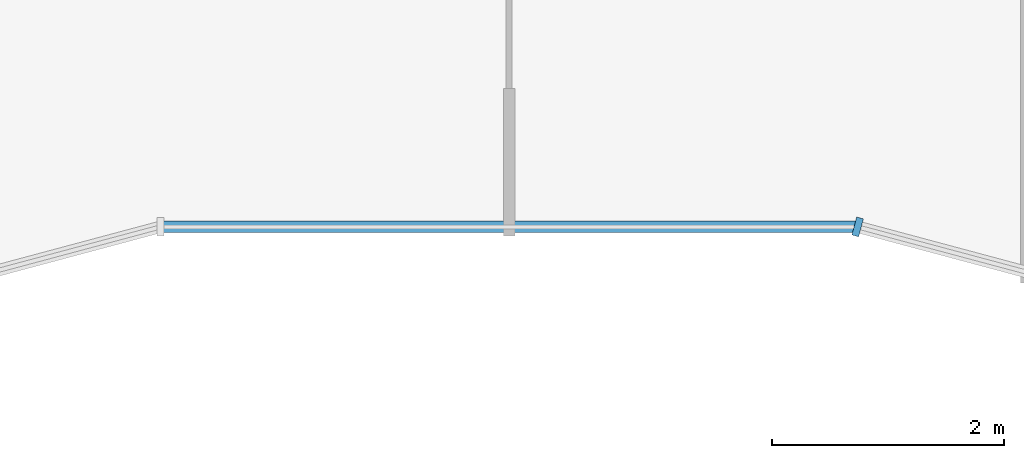
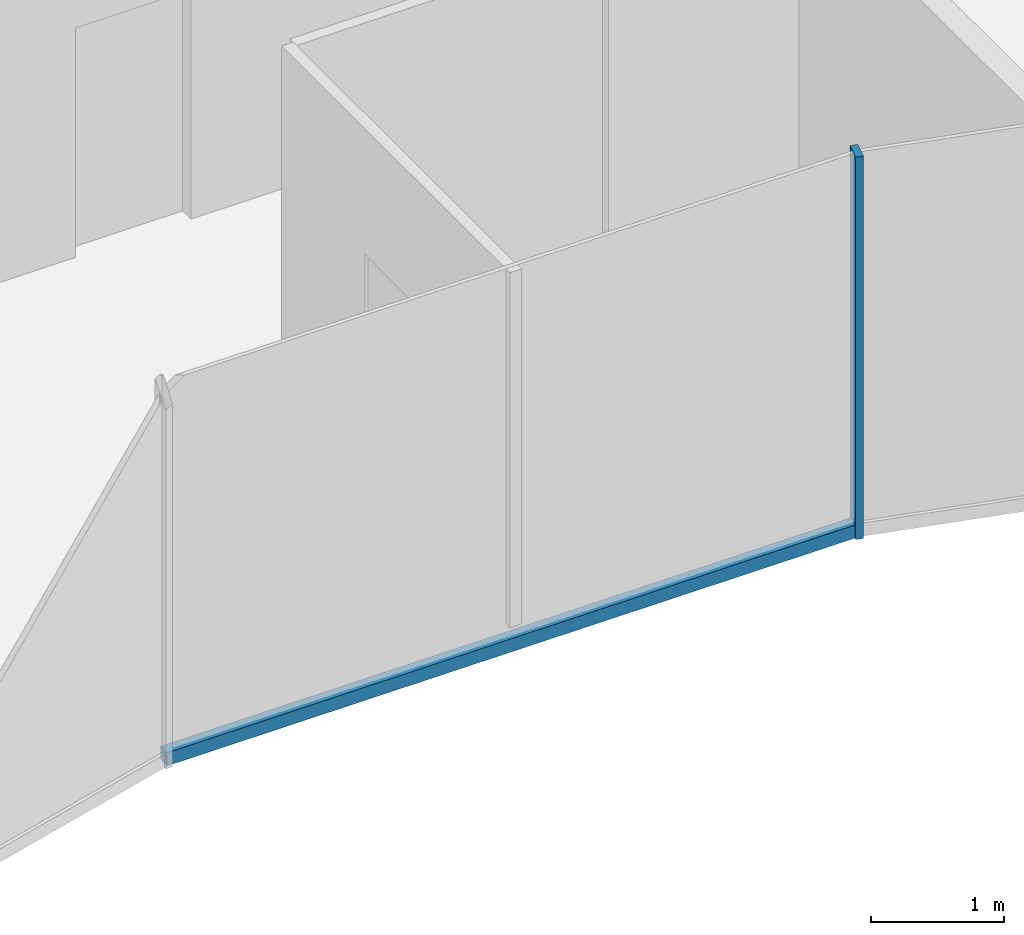
# One storey, part 3 of 15: 2 members, 2 elements without a shape of their own.
"""IFC4 building model written with IfcOpenShell, lengths in metres."""

from ifc_helpers import new_model, si_unit, direction, frame, origin, origin_2d, place, context, subcontext, project, spatial, rectangle, extrude, material, layer, layer_set, material_profile, profile_set, type_object, element, aggregate, save


model = new_model("IFC4")

# Units and contexts
model_context = context("Model", 3, precision=1e-05, world=origin(), true_north=direction((0.0, 1.0)))
body_context = subcontext(model_context, "Body", "Model", "MODEL_VIEW")
ifc_project = project(units=[si_unit("LENGTHUNIT", "METRE"), si_unit("AREAUNIT", "SQUARE_METRE"), si_unit("VOLUMEUNIT", "CUBIC_METRE"), si_unit("PLANEANGLEUNIT", "RADIAN"), si_unit("MASSUNIT", "GRAM", prefix="KILO")], contexts=[model_context])

# Site, building, storey
site_placement = place(None, origin())
site = spatial("IfcSite", under=ifc_project, at=site_placement, CompositionType="ELEMENT")
building_placement = place(site_placement, origin())
building = spatial("IfcBuilding", under=site, at=building_placement, Name="Plateau Cross Towers", CompositionType="ELEMENT")
storey_placement = place(building_placement, frame((0.0, 0.0, 149.89990234375)))
storey = spatial("IfcBuildingStorey", under=building, at=storey_placement, Name="L38", CompositionType="ELEMENT", Elevation=149.89990234375)

# Curtain wall, member
ifc_material_1 = material(Name="Dark low-iron glass", Category="glass")
ifc_layer = layer(ifc_material_1, 0.260009765625)
ifc_layer_set = layer_set([ifc_layer], Name="Dark low-iron glass")
curtain_wall_type = type_object("IfcCurtainWallType", Name="Curtain wall fluted unitised CW-A", PredefinedType="NOTDEFINED", material=ifc_layer_set)
curtain_wall_1_placement = place(storey_placement, origin())
curtain_wall_1 = element("IfcCurtainWall", 1, at=curtain_wall_1_placement, inside=storey, type_object=curtain_wall_type, Name="ENV/A/L38/A300_16", PredefinedType="NOTDEFINED")
ifc_material_2 = material(Name="Black anodised aluminium", Category="aluminium")
ifc_material_profile_1 = material_profile(ifc_material_2, rectangle(XDim=0.06005859375, YDim=0.159912109375, at=origin_2d()), Name="MULLION 60x160")
ifc_profile_set_1 = profile_set([ifc_material_profile_1], Name="Black anodised aluminium")
member_type_1 = type_object("IfcMemberType", Name="Mullion 60x160 fluted unitised", PredefinedType="MULLION", material=ifc_profile_set_1)
member_1_placement = place(storey_placement, frame((30.0, 1.60693359375, -0.25), z_axis=(0.0, 0.0, 1.0), x_axis=(0.965957983404, -0.258699003279, 0.0)))
member_1 = element("IfcMember", 2, at=member_1_placement, type_object=member_type_1, Name="CW-A mullion 1", PredefinedType="MULLION", context=body_context, shape_type="SweptSolid", body=[
    extrude(rectangle(XDim=0.06005859375, YDim=0.159912109375, at=origin_2d()), origin(), (0.0, 0.0, 1.0), 3.5),
])
aggregate(curtain_wall_1, [member_1])

curtain_wall_2_placement = place(storey_placement, origin())
curtain_wall_2 = element("IfcCurtainWall", 3, at=curtain_wall_2_placement, inside=storey, type_object=curtain_wall_type, Name="ENV/A/L38/A240_16", PredefinedType="NOTDEFINED")
ifc_material_profile_2 = material_profile(ifc_material_2, rectangle(XDim=0.10009765625, YDim=0.1201171875, at=origin_2d()), Name="TRANSOM 100x120")
ifc_profile_set_2 = profile_set([ifc_material_profile_2], Name="Black anodised aluminium")
member_type_2 = type_object("IfcMemberType", Name="Transom 100x120 fluted unitised", PredefinedType="USERDEFINED", material=ifc_profile_set_2)
member_2_placement = place(storey_placement, frame((24.0, 1.60693359375, -0.18994140625), z_axis=(1.0, 0.0, 0.0), x_axis=(0.0, 1.0, 0.0)))
member_2 = element("IfcMember", 4, at=member_2_placement, type_object=member_type_2, Name="CW-A transom", ObjectType="TRANSOM", PredefinedType="USERDEFINED", context=body_context, shape_type="SweptSolid", body=[
    extrude(rectangle(XDim=0.10009765625, YDim=0.1201171875, at=origin_2d()), origin(), (0.0, 0.0, 1.0), 6.0),
])
aggregate(curtain_wall_2, [member_2])

save(model, "model.ifc")
